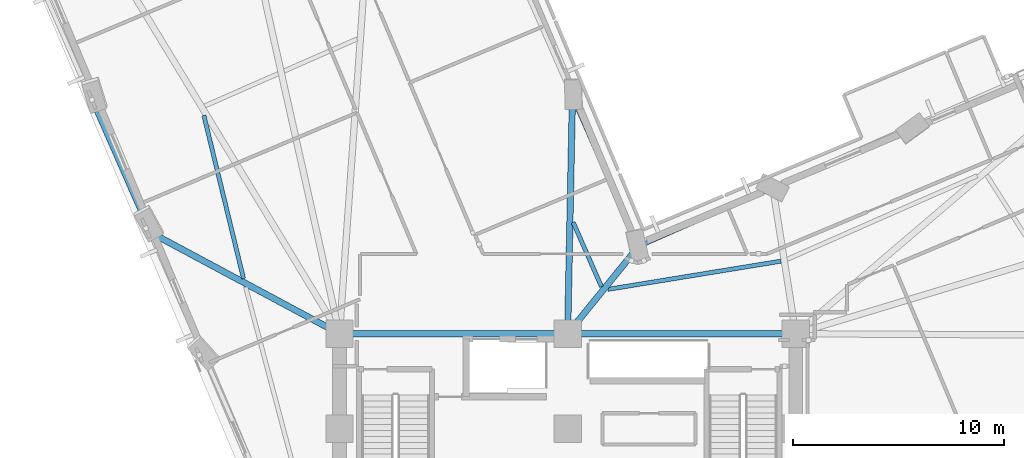
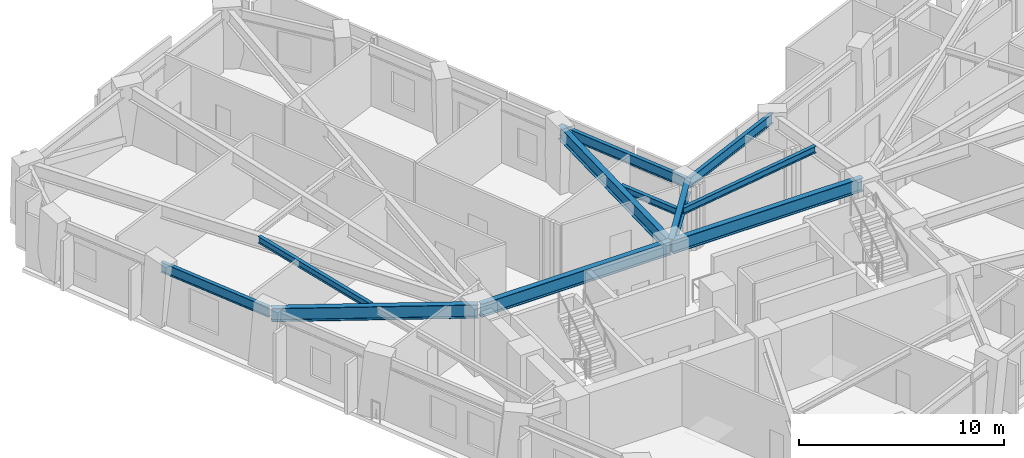
# One storey, part 3 of 18: 11 beams.
"""IFC4 building model written with IfcOpenShell, lengths in metres."""

import ifcopenshell
import ifcopenshell.guid

model = None  # the IFC model being written
_history = None  # IfcOwnerHistory: only IFC2X3 demands one
_inside = {}  # id of a spatial element -> (the spatial element, [elements in it])
_under = {}  # id of a project, library or spatial element -> (it, [spatial elements below it])
_declared = {}  # id of a project -> (the project, [libraries it declares])
_typed = {}  # id of a type object -> (the type object, [elements of that type])
_made_of = {}  # id of a material, layer set ... -> (it, [elements and type objects made of it])


def new_model(schema):
    """Start an empty IFC model of exactly this schema.

    Asked for "IFC4X3", IfcOpenShell would pick the latest addendum, in which some entities
    have other attributes; the version numbers below select the first issue.
    IFC2X3 requires an IfcOwnerHistory on every rooted entity: one is made here for all.
    """
    global model, _history
    if schema == "IFC4X3":
        model = ifcopenshell.file(schema_version=(4, 3, 0, 0))
    else:
        model = ifcopenshell.file(schema=schema)
    _inside.clear()
    _under.clear()
    _declared.clear()
    _typed.clear()
    _made_of.clear()
    _history = None
    if model.schema == "IFC2X3":
        org = make("IfcOrganization", Name="unknown")
        user = make(
            "IfcPersonAndOrganization",
            ThePerson=make("IfcPerson", FamilyName="unknown"),
            TheOrganization=org,
        )
        app = make(
            "IfcApplication",
            ApplicationDeveloper=org,
            Version="unknown",
            ApplicationFullName="unknown",
            ApplicationIdentifier="unknown",
        )
        _history = make(
            "IfcOwnerHistory",
            OwningUser=user,
            OwningApplication=app,
            ChangeAction="ADDED",
            CreationDate=0,
        )
    return model


def make(cls, **values):
    """One entity of the class cls with the attributes given. An attribute that is None is left unset."""
    return model.create_entity(
        cls, **{name: value for name, value in values.items() if value is not None}
    )


def rooted(cls, **values):
    """An entity with a GlobalId (a new one), such as an element, a storey or a relation."""
    return make(cls, GlobalId=ifcopenshell.guid.new(), OwnerHistory=_history, **values)


def si_unit(unit_type, name, prefix=None):
    """IfcSIUnit, for example si_unit("LENGTHUNIT", "METRE", prefix="MILLI")."""
    return make("IfcSIUnit", UnitType=unit_type, Prefix=prefix, Name=name)


def assignment(units):
    """IfcUnitAssignment: the units of a project."""
    return None if units is None else make("IfcUnitAssignment", Units=units)


def point(xyz):
    """IfcCartesianPoint."""
    return None if xyz is None else make("IfcCartesianPoint", Coordinates=xyz)


def direction(xyz):
    """IfcDirection."""
    return None if xyz is None else make("IfcDirection", DirectionRatios=xyz)


def frame(location, z_axis=None, x_axis=None):
    """IfcAxis2Placement3D, a coordinate frame: its origin and axes. An axis left out is left unset."""
    return make(
        "IfcAxis2Placement3D",
        Location=point(location),
        Axis=direction(z_axis),
        RefDirection=direction(x_axis),
    )


def frame_2d(location, x_axis=None):
    """IfcAxis2Placement2D, a coordinate frame in the plane: its origin and x axis."""
    return make(
        "IfcAxis2Placement2D", Location=point(location), RefDirection=direction(x_axis)
    )


def origin():
    """The frame at (0, 0, 0) with its axes left unset."""
    return frame((0.0, 0.0, 0.0))


def origin_2d():
    """The frame at (0, 0) in the plane with its x axis left unset."""
    return frame_2d((0.0, 0.0))


def place(relative_to, where):
    """IfcLocalPlacement: puts the frame where relative to a parent placement (None: the world)."""
    return make(
        "IfcLocalPlacement", PlacementRelTo=relative_to, RelativePlacement=where
    )


def context(
    kind, dimensions, precision=None, world=None, true_north=None, identifier=None
):
    """IfcGeometricRepresentationContext, for example the 3D "Model" context."""
    return make(
        "IfcGeometricRepresentationContext",
        ContextIdentifier=identifier,
        ContextType=kind,
        CoordinateSpaceDimension=dimensions,
        Precision=precision,
        WorldCoordinateSystem=world,
        TrueNorth=true_north,
    )


def subcontext(parent, identifier, kind, view, scale=None):
    """IfcGeometricRepresentationSubContext, for example "Body" below "Model"."""
    return make(
        "IfcGeometricRepresentationSubContext",
        ContextIdentifier=identifier,
        ContextType=kind,
        ParentContext=parent,
        TargetScale=scale,
        TargetView=view,
    )


def project(units=None, contexts=None):
    """IfcProject with its units and contexts."""
    return rooted(
        "IfcProject",
        Name="project",
        RepresentationContexts=contexts,
        UnitsInContext=assignment(units),
    )


def spatial(cls, under=None, at=None, **own):
    """A site, building, storey or space (cls), placed at a placement, below another one or the project."""
    s = rooted(cls, ObjectPlacement=at, **own)
    if under is not None:
        _under.setdefault(under.id(), (under, []))[1].append(s)
    return s


def profile(cls, at=None, kind="AREA", **sizes):
    """A parametric profile (cls). Its sizes go by their IFC names, for example OverallWidth=200.0."""
    return make(cls, ProfileType=kind, Position=at, **sizes)


def i_section(**sizes):
    """IfcIShapeProfileDef."""
    return profile("IfcIShapeProfileDef", **sizes)


def extrude(swept, where, along, depth):
    """IfcExtrudedAreaSolid: the profile swept, set in the frame where, extruded along a direction by depth."""
    return make(
        "IfcExtrudedAreaSolid",
        SweptArea=swept,
        Position=where,
        ExtrudedDirection=direction(along),
        Depth=depth,
    )


def shape(context_of_items, identifier, shape_type, items):
    """IfcShapeRepresentation: the items that make up one representation, for example the "Body"."""
    return make(
        "IfcShapeRepresentation",
        ContextOfItems=context_of_items,
        RepresentationIdentifier=identifier,
        RepresentationType=shape_type,
        Items=items,
    )


def material(Name=None, Category=None):
    """IfcMaterial."""
    return make("IfcMaterial", Name=Name, Category=Category)


def material_profile(
    of_material, cross_section, Name=None, Category=None, Priority=None
):
    """IfcMaterialProfile: a cross section and its material."""
    return make(
        "IfcMaterialProfile",
        Name=Name,
        Material=of_material,
        Profile=cross_section,
        Priority=Priority,
        Category=Category,
    )


def profile_set(profiles, Name=None, composite=None):
    """IfcMaterialProfileSet."""
    return make(
        "IfcMaterialProfileSet",
        Name=Name,
        MaterialProfiles=profiles,
        CompositeProfile=composite,
    )


def made_of(thing, what):
    """Note that an element or type object is made of a material, layer set ...; save() writes the relation."""
    if what is not None:
        _made_of.setdefault(what.id(), (what, []))[1].append(thing)
    return thing


def type_object(cls, material=None, **own):
    """A type object (cls), such as IfcWallType, which elements share."""
    return made_of(rooted(cls, **own), material)


def element(
    cls,
    number,
    at=None,
    inside=None,
    cuts=None,
    type_object=None,
    material=None,
    context=None,
    identifier="Body",
    shape_type=None,
    held_by="IfcProductDefinitionShape",
    body=None,
    shapes=None,
    **own,
):
    """One element of the class cls, such as IfcWall. Its Tag is "e" and its number.

    at: its placement. inside: the storey or other place that contains it. cuts: it is an
    opening in that element (IfcRelVoidsElement). A single representation is given by context,
    identifier, shape_type and body (its items); several are given by shapes. held_by: the class
    of the entity that holds the representations. save() writes the other relations.
    """
    e = rooted(cls, Tag="e%d" % number, ObjectPlacement=at, **own)
    if body is not None:
        shapes = [shape(context, identifier, shape_type, body)]
    if shapes is not None:
        e.Representation = make(held_by, Representations=shapes)
    if inside is not None:
        _inside.setdefault(inside.id(), (inside, []))[1].append(e)
    if cuts is not None:
        rooted(
            "IfcRelVoidsElement", RelatingBuildingElement=cuts, RelatedOpeningElement=e
        )
    if type_object is not None:
        _typed.setdefault(type_object.id(), (type_object, []))[1].append(e)
    return made_of(e, material)


def aggregate(whole, parts):
    """IfcRelAggregates: a whole, such as a stair, and the parts it consists of."""
    return rooted("IfcRelAggregates", RelatingObject=whole, RelatedObjects=parts)


def save(model, path):
    """Write the relations noted so far, then the file.

    IfcRelAggregates (storeys below a building ...), IfcRelContainedInSpatialStructure (elements
    in a storey), IfcRelDefinesByType, IfcRelAssociatesMaterial and IfcRelDeclares: one each for
    every whole, place, type object, material and project.
    """
    for whole, parts in _under.values():
        aggregate(whole, parts)
    for where, things in _inside.values():
        rooted(
            "IfcRelContainedInSpatialStructure",
            RelatedElements=things,
            RelatingStructure=where,
        )
    for kind, things in _typed.values():
        rooted("IfcRelDefinesByType", RelatedObjects=things, RelatingType=kind)
    for what, things in _made_of.values():
        rooted("IfcRelAssociatesMaterial", RelatedObjects=things, RelatingMaterial=what)
    for by, libraries in _declared.values():
        rooted("IfcRelDeclares", RelatingContext=by, RelatedDefinitions=libraries)
    model.write(path)


model = new_model("IFC4")

# Units and contexts
model_context = context("Model", 3, precision=1e-05, world=origin(), true_north=direction((0.0, 1.0)))
body_context = subcontext(model_context, "Body", "Model", "MODEL_VIEW")
ifc_project = project(units=[si_unit("LENGTHUNIT", "METRE"), si_unit("AREAUNIT", "SQUARE_METRE"), si_unit("VOLUMEUNIT", "CUBIC_METRE"), si_unit("PLANEANGLEUNIT", "RADIAN"), si_unit("MASSUNIT", "GRAM", prefix="KILO")], contexts=[model_context])

# Site, building, storey
site_placement = place(None, origin())
site = spatial("IfcSite", under=ifc_project, at=site_placement, CompositionType="ELEMENT")
building_placement = place(site_placement, origin())
building = spatial("IfcBuilding", under=site, at=building_placement, Name="Gaonmaruhae Medical Tower", CompositionType="ELEMENT")
storey_placement = place(building_placement, frame((0.0, 0.0, 120.39990234375)))
storey = spatial("IfcBuildingStorey", under=building, at=storey_placement, Name="L28", CompositionType="ELEMENT", Elevation=120.39990234375)

# Beams
ifc_material_1 = material(Name="Steel SM355", Category="steel")
ifc_material_profile_1 = material_profile(ifc_material_1, i_section(OverallWidth=0.199951171875, OverallDepth=0.39990234375, WebThickness=0.008056640625, FlangeThickness=0.012939453125, FilletRadius=0.012939453125, at=origin_2d()), Name="H-400x200x8x13")
ifc_profile_set_1 = profile_set([ifc_material_profile_1], Name="Steel SM355")
beam_type_1 = type_object("IfcBeamType", Name="FJ-01 Lower Zone Ward Floor Joist (H-400x200x8x13)", PredefinedType="JOIST", material=ifc_profile_set_1)
beam_1_placement = place(storey_placement, frame((34.90087890625, 20.237548828125, 3.580078125), z_axis=(-0.986957575238, -0.160980572369, 0.0), x_axis=(0.160980572369, -0.986957575238, 0.0)))
element("IfcBeam", 1, at=beam_1_placement, inside=storey, type_object=beam_type_1, Name="L28 Secondary Floor Joist FJ08", PredefinedType="JOIST", context=body_context, shape_type="SweptSolid", body=[
    extrude(i_section(OverallWidth=0.199951171875, OverallDepth=0.39990234375, WebThickness=0.008056640625, FlangeThickness=0.012939453125, FilletRadius=0.012939453125, at=origin_2d()), origin(), (0.0, 0.0, 1.0), 8.306396484375),
])
beam_2_placement = place(storey_placement, frame((26.40380859375, 19.02294921875, 3.580078125), z_axis=(-0.402736163471, 0.915316110769, 0.0), x_axis=(-0.915316110769, -0.402736163471, 0.0)))
element("IfcBeam", 2, at=beam_2_placement, inside=storey, type_object=beam_type_1, Name="L28 Secondary Floor Joist FJ09", PredefinedType="JOIST", context=body_context, shape_type="SweptSolid", body=[
    extrude(i_section(OverallWidth=0.199951171875, OverallDepth=0.39990234375, WebThickness=0.008056640625, FlangeThickness=0.012939453125, FilletRadius=0.012939453125, at=origin_2d()), origin(), (0.0, 0.0, 1.0), 3.33837890625),
])
beam_3_placement = place(storey_placement, frame((7.580078125, 27.13427734375, 3.580078125), z_axis=(0.236055331399, -0.971739615596, 0.0), x_axis=(0.971739615596, 0.236055331399, 0.0)))
element("IfcBeam", 3, at=beam_3_placement, inside=storey, type_object=beam_type_1, Name="L28 Secondary Floor Joist FJ13", PredefinedType="JOIST", context=body_context, shape_type="SweptSolid", body=[
    extrude(i_section(OverallWidth=0.199951171875, OverallDepth=0.39990234375, WebThickness=0.008056640625, FlangeThickness=0.012939453125, FilletRadius=0.012939453125, at=origin_2d()), origin(), (0.0, 0.0, 1.0), 7.94921875),
])
ifc_material_2 = material(Name="Steel SM420", Category="steel")
ifc_material_profile_2 = material_profile(ifc_material_2, i_section(OverallWidth=0.300048828125, OverallDepth=0.800048828125, WebThickness=0.013916015625, FlangeThickness=0.02587890625, FilletRadius=0.01806640625, at=origin_2d()), Name="H-800x300x14x26")
ifc_profile_set_2 = profile_set([ifc_material_profile_2], Name="Steel SM420")
beam_type_2 = type_object("IfcBeamType", Name="PG-02 Zone 2 Radial Floor Girder (H-800x300x14x26)", PredefinedType="BEAM", material=ifc_profile_set_2)
for number, where, z_axis, x_axis, name in (
    (4, (14.050048828125, 16.800048828125, 3.380126953125), (1.0, 0.0, 0.0), (0.0, 1.0, 0.0), "L28 Beam BM-L28-CG-N1"),
    (5, (24.85009765625, 16.800048828125, 3.380126953125), (1.0, 0.0, 0.0), (0.0, 1.0, 0.0), "L28 Beam BM-L28-CG-N2"),
):
    element("IfcBeam", number, at=place(storey_placement, frame(where, z_axis=z_axis, x_axis=x_axis)), inside=storey, type_object=beam_type_2, Name=name, PredefinedType="BEAM", context=body_context, shape_type="SweptSolid", body=[
        extrude(i_section(OverallWidth=0.300048828125, OverallDepth=0.800048828125, WebThickness=0.013916015625, FlangeThickness=0.02587890625, FilletRadius=0.01806640625, at=origin_2d()), origin(), (0.0, 0.0, 1.0), 10.699951171875),
    ])
beam_4_placement = place(storey_placement, frame((24.83154296875, 16.8388671875, 3.380126953125), z_axis=(0.630121836887, 0.776496278599, 0.0), x_axis=(-0.776496278599, 0.630121836887, 0.0)))
element("IfcBeam", 6, at=beam_4_placement, inside=storey, type_object=beam_type_2, Name="L28 Radial Primary Girder KN01", PredefinedType="BEAM", context=body_context, shape_type="SweptSolid", body=[
    extrude(i_section(OverallWidth=0.300048828125, OverallDepth=0.800048828125, WebThickness=0.013916015625, FlangeThickness=0.02587890625, FilletRadius=0.01806640625, at=origin_2d()), origin(), (0.0, 0.0, 1.0), 5.2138671875),
])
beam_5_placement = place(storey_placement, frame((24.801025390625, 16.85009765625, 3.380126953125), z_axis=(0.020238679894, 0.999795176942, 0.0), x_axis=(-0.999795176942, 0.020238679894, 0.0)))
element("IfcBeam", 7, at=beam_5_placement, inside=storey, type_object=beam_type_2, Name="L28 Radial Primary Girder NE01", PredefinedType="BEAM", context=body_context, shape_type="SweptSolid", body=[
    extrude(i_section(OverallWidth=0.300048828125, OverallDepth=0.800048828125, WebThickness=0.013916015625, FlangeThickness=0.02587890625, FilletRadius=0.01806640625, at=origin_2d()), origin(), (0.0, 0.0, 1.0), 11.1220703125),
])
beam_6_placement = place(storey_placement, frame((13.955810546875, 16.82373046875, 3.380126953125), z_axis=(-0.881445102907, 0.472286492037, 0.0), x_axis=(-0.472286492037, -0.881445102907, 0.0)))
element("IfcBeam", 8, at=beam_6_placement, inside=storey, type_object=beam_type_2, Name="L28 Radial Primary Girder W03", PredefinedType="BEAM", context=body_context, shape_type="SweptSolid", body=[
    extrude(i_section(OverallWidth=0.300048828125, OverallDepth=0.800048828125, WebThickness=0.013916015625, FlangeThickness=0.02587890625, FilletRadius=0.01806640625, at=origin_2d()), origin(), (0.0, 0.0, 1.0), 10.09765625),
])
ifc_material_profile_3 = material_profile(ifc_material_1, i_section(OverallWidth=0.199951171875, OverallDepth=0.60009765625, WebThickness=0.010986328125, FlangeThickness=0.01708984375, FilletRadius=0.012939453125, at=origin_2d()), Name="H-600x200x11x17")
ifc_profile_set_3 = profile_set([ifc_material_profile_3], Name="Steel SM355")
beam_type_3 = type_object("IfcBeamType", Name="SP-01 Lower Perimeter Spandrel Beam (H-600x200x11x17)", PredefinedType="SPANDREL", material=ifc_profile_set_3)
beam_7_placement = place(storey_placement, frame((34.47314453125, 23.709228515625, 3.47998046875), z_axis=(-0.915310316224, -0.402749332729, 0.0), x_axis=(0.402749332729, -0.915310316224, 0.0)))
element("IfcBeam", 9, at=beam_7_placement, inside=storey, type_object=beam_type_3, Name="L28 Perimeter Spandrel Beam EN03-KN01", PredefinedType="SPANDREL", context=body_context, shape_type="SweptSolid", body=[
    extrude(i_section(OverallWidth=0.199951171875, OverallDepth=0.60009765625, WebThickness=0.010986328125, FlangeThickness=0.01708984375, FilletRadius=0.012939453125, at=origin_2d()), origin(), (0.0, 0.0, 1.0), 6.869873046875),
])
beam_8_placement = place(storey_placement, frame((28.13232421875, 20.962890625, 3.47998046875), z_axis=(-0.402748214522, 0.91531080825, 0.0), x_axis=(-0.91531080825, -0.402748214522, 0.0)))
element("IfcBeam", 10, at=beam_8_placement, inside=storey, type_object=beam_type_3, Name="L28 Perimeter Spandrel Beam KN01-NE01", PredefinedType="SPANDREL", context=body_context, shape_type="SweptSolid", body=[
    extrude(i_section(OverallWidth=0.199951171875, OverallDepth=0.60009765625, WebThickness=0.010986328125, FlangeThickness=0.01708984375, FilletRadius=0.012939453125, at=origin_2d()), origin(), (0.0, 0.0, 1.0), 7.670166015625),
])
beam_9_placement = place(storey_placement, frame((2.369140625, 27.62060546875, 3.47998046875), z_axis=(0.402727320324, -0.915320001674, 0.0), x_axis=(0.915320001674, 0.402727320324, 0.0)))
element("IfcBeam", 11, at=beam_9_placement, inside=storey, type_object=beam_type_3, Name="L28 Perimeter Spandrel Beam W02-W03", PredefinedType="SPANDREL", context=body_context, shape_type="SweptSolid", body=[
    extrude(i_section(OverallWidth=0.199951171875, OverallDepth=0.60009765625, WebThickness=0.010986328125, FlangeThickness=0.01708984375, FilletRadius=0.012939453125, at=origin_2d()), origin(), (0.0, 0.0, 1.0), 6.519775390625),
])

save(model, "model.ifc")
